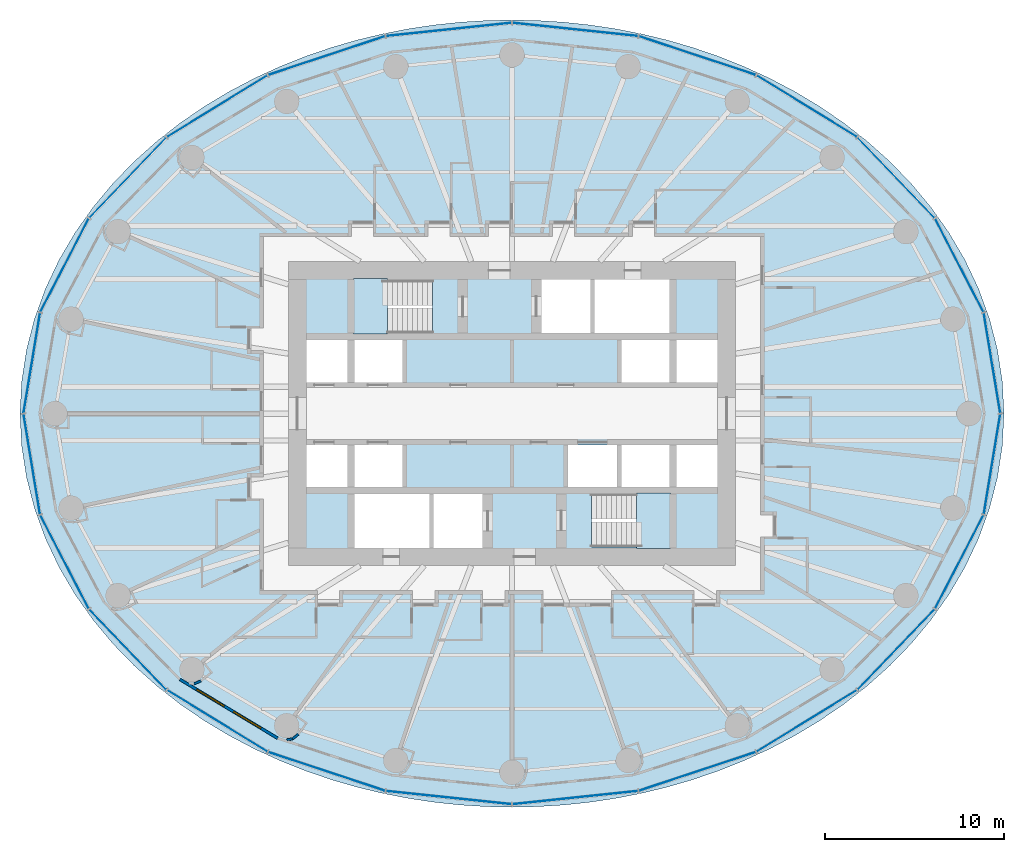
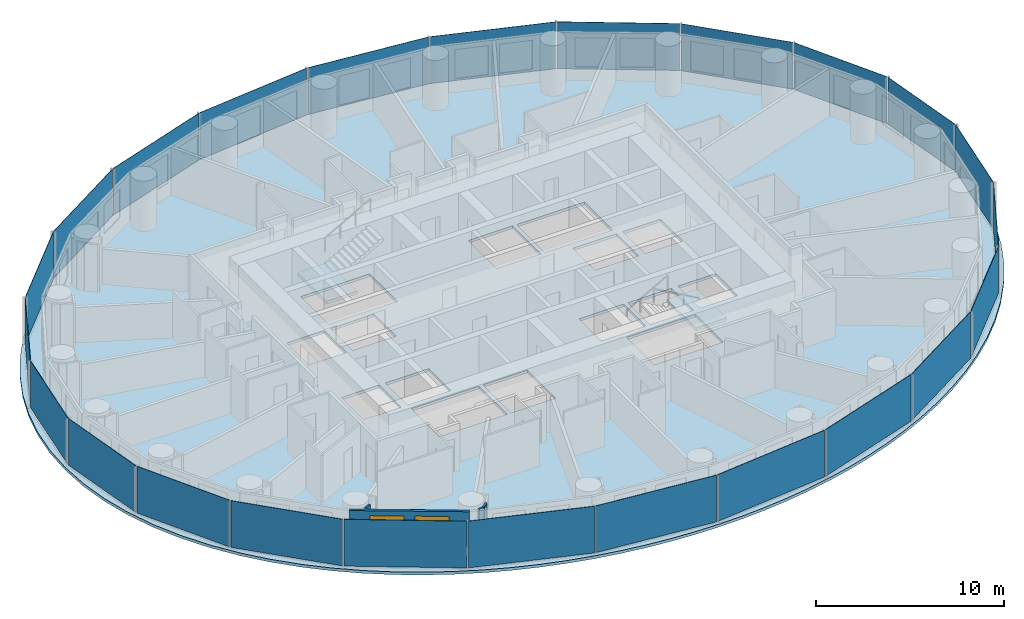
# One storey, part 5 of 14: 24 plates, 4 walls, 3 slabs, 2 windows, 2 openings, 6 elements without a shape of their own.
"""IFC4 building model written with IfcOpenShell, lengths in metres."""

from ifc_helpers import new_model, si_unit, direction, frame, frame_2d, origin, origin_2d, place, context, subcontext, project, spatial, polyline, rectangle, outline, extrude, material, layer, layer_set, type_object, element, fill, aggregate, save


model = new_model("IFC4")

# Units and contexts
model_context = context("Model", 3, precision=1e-05, world=origin(), true_north=direction((0.0, 1.0)))
body_context = subcontext(model_context, "Body", "Model", "MODEL_VIEW")
ifc_project = project(units=[si_unit("LENGTHUNIT", "METRE"), si_unit("AREAUNIT", "SQUARE_METRE"), si_unit("VOLUMEUNIT", "CUBIC_METRE"), si_unit("PLANEANGLEUNIT", "RADIAN"), si_unit("MASSUNIT", "GRAM", prefix="KILO")], contexts=[model_context])

# Site, building, storey
site_placement = place(None, origin())
site = spatial("IfcSite", under=ifc_project, at=site_placement, CompositionType="ELEMENT")
building_placement = place(site_placement, origin())
building = spatial("IfcBuilding", under=site, at=building_placement, Name="Hankou Lantern Tower", CompositionType="ELEMENT")
storey_placement = place(building_placement, frame((0.0, 0.0, 57.300048828125)))
storey = spatial("IfcBuildingStorey", under=building, at=storey_placement, Name="L13", CompositionType="ELEMENT", Elevation=57.300048828125)

# Curtain wall, plates
ifc_material_1 = material(Name="Glass, dark grey tinted laminated", Category="glass")
curtain_wall_type = type_object("IfcCurtainWallType", Name="CWA OUTER SKIN LOW-RISE", PredefinedType="USERDEFINED", material=ifc_material_1)
curtain_wall_1_placement = place(storey_placement, origin())
curtain_wall_1 = element("IfcCurtainWall", 1, at=curtain_wall_1_placement, inside=storey, type_object=curtain_wall_type, Name="CWA L13 OS1", ObjectType="OUTER SKIN LOW-RISE", PredefinedType="USERDEFINED")
ifc_material_2 = material(Name="Glass, dark grey tinted laminated", Category="glass")
ifc_layer_1 = layer(ifc_material_2, 0.02392578125)
ifc_layer_set_1 = layer_set([ifc_layer_1], Name="Glass, dark grey tinted laminated")
plate_type = type_object("IfcPlateType", Name="PN1 OUTER SKIN GLASS PANEL", PredefinedType="CURTAIN_PANEL", material=ifc_layer_set_1)
plate_1_placement = place(storey_placement, frame((26.8349609375, 2.826416015625, 0.079833984375), z_axis=(0.0, 0.0, 1.0), x_axis=(-0.162381515188, 0.986728049427, 0.0)))
plate_1 = element("IfcPlate", 2, at=plate_1_placement, type_object=plate_type, Name="CWA glass panel 1", PredefinedType="CURTAIN_PANEL", context=body_context, shape_type="SweptSolid", body=[
    extrude(rectangle(XDim=5.648681640625, YDim=0.02392578125, at=origin_2d()), origin(), (0.0, 0.0, 1.0), 3.0400390625),
])
plate_2_placement = place(storey_placement, frame((25.006103515625, 8.286376953125, 0.079833984375), z_axis=(0.0, 0.0, 1.0), x_axis=(-0.459791091957, 0.888027112062, 0.0)))
plate_2 = element("IfcPlate", 3, at=plate_2_placement, type_object=plate_type, Name="CWA glass panel 2", PredefinedType="CURTAIN_PANEL", context=body_context, shape_type="SweptSolid", body=[
    extrude(rectangle(XDim=5.8515625, YDim=0.02392578125, at=origin_2d()), origin(), (0.0, 0.0, 1.0), 3.0400390625),
])
plate_3_placement = place(storey_placement, frame((21.47314453125, 13.181640625, 0.079833984375), z_axis=(0.0, 0.0, 1.0), x_axis=(-0.692215809936, 0.721690565599, 0.0)))
plate_3 = element("IfcPlate", 4, at=plate_3_placement, type_object=plate_type, Name="CWA glass panel 3", PredefinedType="CURTAIN_PANEL", context=body_context, shape_type="SweptSolid", body=[
    extrude(rectangle(XDim=6.1875, YDim=0.02392578125, at=origin_2d()), origin(), (0.0, 0.0, 1.0), 3.0400390625),
])
plate_4_placement = place(storey_placement, frame((16.47705078125, 17.1787109375, 0.079833984375), z_axis=(0.0, 0.0, 1.0), x_axis=(-0.852237151549, 0.523155653242, 0.0)))
plate_4 = element("IfcPlate", 5, at=plate_4_placement, type_object=plate_type, Name="CWA glass panel 4", PredefinedType="CURTAIN_PANEL", context=body_context, shape_type="SweptSolid", body=[
    extrude(rectangle(XDim=6.554443359375, YDim=0.02392578125, at=origin_2d()), origin(), (0.0, 0.0, 1.0), 3.0400390625),
])
plate_5_placement = place(storey_placement, frame((10.35791015625, 20.0048828125, 0.079833984375), z_axis=(0.0, 0.0, 1.0), x_axis=(-0.949240677293, 0.31455068999, 0.0)))
plate_5 = element("IfcPlate", 6, at=plate_5_placement, type_object=plate_type, Name="CWA glass panel 5", PredefinedType="CURTAIN_PANEL", context=body_context, shape_type="SweptSolid", body=[
    extrude(rectangle(XDim=6.856201171875, YDim=0.02392578125, at=origin_2d()), origin(), (0.0, 0.0, 1.0), 3.0400390625),
])
plate_6_placement = place(storey_placement, frame((3.532958984375, 21.468017578125, 0.079833984375), z_axis=(0.0, 0.0, 1.0), x_axis=(-0.994499359107, 0.104742659579, 0.0)))
plate_6 = element("IfcPlate", 7, at=plate_6_placement, type_object=plate_type, Name="CWA glass panel 6", PredefinedType="CURTAIN_PANEL", context=body_context, shape_type="SweptSolid", body=[
    extrude(rectangle(XDim=7.02490234375, YDim=0.02392578125, at=origin_2d()), origin(), (0.0, 0.0, 1.0), 3.0400390625),
])
aggregate(curtain_wall_1, [plate_1, plate_2, plate_3, plate_4, plate_5, plate_6])

curtain_wall_2_placement = place(storey_placement, origin())
curtain_wall_2 = element("IfcCurtainWall", 8, at=curtain_wall_2_placement, inside=storey, type_object=curtain_wall_type, Name="CWA L13 OS2", ObjectType="OUTER SKIN LOW-RISE", PredefinedType="USERDEFINED")
plate_7_placement = place(storey_placement, frame((-3.532958984375, 21.468017578125, 0.079833984375), z_axis=(0.0, 0.0, 1.0), x_axis=(-0.994499359107, -0.104742659579, 0.0)))
plate_7 = element("IfcPlate", 9, at=plate_7_placement, type_object=plate_type, Name="CWA glass panel 1", PredefinedType="CURTAIN_PANEL", context=body_context, shape_type="SweptSolid", body=[
    extrude(rectangle(XDim=7.02490234375, YDim=0.02392578125, at=origin_2d()), origin(), (0.0, 0.0, 1.0), 3.0400390625),
])
plate_8_placement = place(storey_placement, frame((-10.35791015625, 20.0048828125, 0.079833984375), z_axis=(0.0, 0.0, 1.0), x_axis=(-0.949240677293, -0.31455068999, 0.0)))
plate_8 = element("IfcPlate", 10, at=plate_8_placement, type_object=plate_type, Name="CWA glass panel 2", PredefinedType="CURTAIN_PANEL", context=body_context, shape_type="SweptSolid", body=[
    extrude(rectangle(XDim=6.856201171875, YDim=0.02392578125, at=origin_2d()), origin(), (0.0, 0.0, 1.0), 3.0400390625),
])
plate_9_placement = place(storey_placement, frame((-16.47705078125, 17.1787109375, 0.079833984375), z_axis=(0.0, 0.0, 1.0), x_axis=(-0.852237151549, -0.523155653242, 0.0)))
plate_9 = element("IfcPlate", 11, at=plate_9_placement, type_object=plate_type, Name="CWA glass panel 3", PredefinedType="CURTAIN_PANEL", context=body_context, shape_type="SweptSolid", body=[
    extrude(rectangle(XDim=6.554443359375, YDim=0.02392578125, at=origin_2d()), origin(), (0.0, 0.0, 1.0), 3.0400390625),
])
plate_10_placement = place(storey_placement, frame((-21.47314453125, 13.181640625, 0.079833984375), z_axis=(0.0, 0.0, 1.0), x_axis=(-0.692215809936, -0.721690565599, 0.0)))
plate_10 = element("IfcPlate", 12, at=plate_10_placement, type_object=plate_type, Name="CWA glass panel 4", PredefinedType="CURTAIN_PANEL", context=body_context, shape_type="SweptSolid", body=[
    extrude(rectangle(XDim=6.1875, YDim=0.02392578125, at=origin_2d()), origin(), (0.0, 0.0, 1.0), 3.0400390625),
])
plate_11_placement = place(storey_placement, frame((-25.006103515625, 8.286376953125, 0.079833984375), z_axis=(0.0, 0.0, 1.0), x_axis=(-0.459791091957, -0.888027112062, 0.0)))
plate_11 = element("IfcPlate", 13, at=plate_11_placement, type_object=plate_type, Name="CWA glass panel 5", PredefinedType="CURTAIN_PANEL", context=body_context, shape_type="SweptSolid", body=[
    extrude(rectangle(XDim=5.8515625, YDim=0.02392578125, at=origin_2d()), origin(), (0.0, 0.0, 1.0), 3.0400390625),
])
plate_12_placement = place(storey_placement, frame((-26.8349609375, 2.826416015625, 0.079833984375), z_axis=(0.0, 0.0, 1.0), x_axis=(-0.162381515188, -0.986728049427, 0.0)))
plate_12 = element("IfcPlate", 14, at=plate_12_placement, type_object=plate_type, Name="CWA glass panel 6", PredefinedType="CURTAIN_PANEL", context=body_context, shape_type="SweptSolid", body=[
    extrude(rectangle(XDim=5.648681640625, YDim=0.02392578125, at=origin_2d()), origin(), (0.0, 0.0, 1.0), 3.0400390625),
])
aggregate(curtain_wall_2, [plate_7, plate_8, plate_9, plate_10, plate_11, plate_12])

curtain_wall_3_placement = place(storey_placement, origin())
curtain_wall_3 = element("IfcCurtainWall", 15, at=curtain_wall_3_placement, inside=storey, type_object=curtain_wall_type, Name="CWA L13 OS3", ObjectType="OUTER SKIN LOW-RISE", PredefinedType="USERDEFINED")
plate_13_placement = place(storey_placement, frame((-26.8349609375, -2.826416015625, 0.079833984375), z_axis=(0.0, 0.0, 1.0), x_axis=(0.162381515188, -0.986728049427, 0.0)))
plate_13 = element("IfcPlate", 16, at=plate_13_placement, type_object=plate_type, Name="CWA glass panel 1", PredefinedType="CURTAIN_PANEL", context=body_context, shape_type="SweptSolid", body=[
    extrude(rectangle(XDim=5.648681640625, YDim=0.02392578125, at=origin_2d()), origin(), (0.0, 0.0, 1.0), 3.0400390625),
])
plate_14_placement = place(storey_placement, frame((-25.006103515625, -8.286376953125, 0.079833984375), z_axis=(0.0, 0.0, 1.0), x_axis=(0.459791091957, -0.888027112062, 0.0)))
plate_14 = element("IfcPlate", 17, at=plate_14_placement, type_object=plate_type, Name="CWA glass panel 2", PredefinedType="CURTAIN_PANEL", context=body_context, shape_type="SweptSolid", body=[
    extrude(rectangle(XDim=5.8515625, YDim=0.02392578125, at=origin_2d()), origin(), (0.0, 0.0, 1.0), 3.0400390625),
])
plate_15_placement = place(storey_placement, frame((-21.47314453125, -13.181640625, 0.079833984375), z_axis=(0.0, 0.0, 1.0), x_axis=(0.692215809936, -0.721690565599, 0.0)))
plate_15 = element("IfcPlate", 18, at=plate_15_placement, type_object=plate_type, Name="CWA glass panel 3", PredefinedType="CURTAIN_PANEL", context=body_context, shape_type="SweptSolid", body=[
    extrude(rectangle(XDim=6.1875, YDim=0.02392578125, at=origin_2d()), origin(), (0.0, 0.0, 1.0), 3.0400390625),
])
plate_16_placement = place(storey_placement, frame((-16.47705078125, -17.1787109375, 0.079833984375), z_axis=(0.0, 0.0, 1.0), x_axis=(0.852237151549, -0.523155653242, 0.0)))
plate_16 = element("IfcPlate", 19, at=plate_16_placement, type_object=plate_type, Name="CWA glass panel 4", PredefinedType="CURTAIN_PANEL", context=body_context, shape_type="SweptSolid", body=[
    extrude(rectangle(XDim=6.554443359375, YDim=0.02392578125, at=origin_2d()), origin(), (0.0, 0.0, 1.0), 3.0400390625),
])
plate_17_placement = place(storey_placement, frame((-10.35791015625, -20.0048828125, 0.079833984375), z_axis=(0.0, 0.0, 1.0), x_axis=(0.949240677293, -0.31455068999, 0.0)))
plate_17 = element("IfcPlate", 20, at=plate_17_placement, type_object=plate_type, Name="CWA glass panel 5", PredefinedType="CURTAIN_PANEL", context=body_context, shape_type="SweptSolid", body=[
    extrude(rectangle(XDim=6.856201171875, YDim=0.02392578125, at=origin_2d()), origin(), (0.0, 0.0, 1.0), 3.0400390625),
])
plate_18_placement = place(storey_placement, frame((-3.532958984375, -21.468017578125, 0.079833984375), z_axis=(0.0, 0.0, 1.0), x_axis=(0.994499359107, -0.104742659579, 0.0)))
plate_18 = element("IfcPlate", 21, at=plate_18_placement, type_object=plate_type, Name="CWA glass panel 6", PredefinedType="CURTAIN_PANEL", context=body_context, shape_type="SweptSolid", body=[
    extrude(rectangle(XDim=7.02490234375, YDim=0.02392578125, at=origin_2d()), origin(), (0.0, 0.0, 1.0), 3.0400390625),
])
aggregate(curtain_wall_3, [plate_13, plate_14, plate_15, plate_16, plate_17, plate_18])

curtain_wall_4_placement = place(storey_placement, origin())
curtain_wall_4 = element("IfcCurtainWall", 22, at=curtain_wall_4_placement, inside=storey, type_object=curtain_wall_type, Name="CWA L13 OS4", ObjectType="OUTER SKIN LOW-RISE", PredefinedType="USERDEFINED")
plate_19_placement = place(storey_placement, frame((3.532958984375, -21.468017578125, 0.079833984375), z_axis=(0.0, 0.0, 1.0), x_axis=(0.994499359107, 0.104742659579, 0.0)))
plate_19 = element("IfcPlate", 23, at=plate_19_placement, type_object=plate_type, Name="CWA glass panel 1", PredefinedType="CURTAIN_PANEL", context=body_context, shape_type="SweptSolid", body=[
    extrude(rectangle(XDim=7.02490234375, YDim=0.02392578125, at=origin_2d()), origin(), (0.0, 0.0, 1.0), 3.0400390625),
])
plate_20_placement = place(storey_placement, frame((10.35791015625, -20.0048828125, 0.079833984375), z_axis=(0.0, 0.0, 1.0), x_axis=(0.949240677293, 0.31455068999, 0.0)))
plate_20 = element("IfcPlate", 24, at=plate_20_placement, type_object=plate_type, Name="CWA glass panel 2", PredefinedType="CURTAIN_PANEL", context=body_context, shape_type="SweptSolid", body=[
    extrude(rectangle(XDim=6.856201171875, YDim=0.02392578125, at=origin_2d()), origin(), (0.0, 0.0, 1.0), 3.0400390625),
])
plate_21_placement = place(storey_placement, frame((16.47705078125, -17.1787109375, 0.079833984375), z_axis=(0.0, 0.0, 1.0), x_axis=(0.852237151549, 0.523155653242, 0.0)))
plate_21 = element("IfcPlate", 25, at=plate_21_placement, type_object=plate_type, Name="CWA glass panel 3", PredefinedType="CURTAIN_PANEL", context=body_context, shape_type="SweptSolid", body=[
    extrude(rectangle(XDim=6.554443359375, YDim=0.02392578125, at=origin_2d()), origin(), (0.0, 0.0, 1.0), 3.0400390625),
])
plate_22_placement = place(storey_placement, frame((21.47314453125, -13.181640625, 0.079833984375), z_axis=(0.0, 0.0, 1.0), x_axis=(0.692215809936, 0.721690565599, 0.0)))
plate_22 = element("IfcPlate", 26, at=plate_22_placement, type_object=plate_type, Name="CWA glass panel 4", PredefinedType="CURTAIN_PANEL", context=body_context, shape_type="SweptSolid", body=[
    extrude(rectangle(XDim=6.1875, YDim=0.02392578125, at=origin_2d()), origin(), (0.0, 0.0, 1.0), 3.0400390625),
])
plate_23_placement = place(storey_placement, frame((25.006103515625, -8.286376953125, 0.079833984375), z_axis=(0.0, 0.0, 1.0), x_axis=(0.459791091957, 0.888027112062, 0.0)))
plate_23 = element("IfcPlate", 27, at=plate_23_placement, type_object=plate_type, Name="CWA glass panel 5", PredefinedType="CURTAIN_PANEL", context=body_context, shape_type="SweptSolid", body=[
    extrude(rectangle(XDim=5.8515625, YDim=0.02392578125, at=origin_2d()), origin(), (0.0, 0.0, 1.0), 3.0400390625),
])
plate_24_placement = place(storey_placement, frame((26.8349609375, -2.826416015625, 0.079833984375), z_axis=(0.0, 0.0, 1.0), x_axis=(0.162381515188, 0.986728049427, 0.0)))
plate_24 = element("IfcPlate", 28, at=plate_24_placement, type_object=plate_type, Name="CWA glass panel 6", PredefinedType="CURTAIN_PANEL", context=body_context, shape_type="SweptSolid", body=[
    extrude(rectangle(XDim=5.648681640625, YDim=0.02392578125, at=origin_2d()), origin(), (0.0, 0.0, 1.0), 3.0400390625),
])
aggregate(curtain_wall_4, [plate_19, plate_20, plate_21, plate_22, plate_23, plate_24])

# Slab
ifc_material_3 = material(Name="Concrete C50", Category="concrete")
ifc_layer_2 = layer(ifc_material_3, 0.179931640625)
ifc_layer_set_2 = layer_set([ifc_layer_2], Name="Concrete C50")
slab_type_1 = type_object("IfcSlabType", Name="S1 CONCRETE FLOOR SLAB 180", PredefinedType="FLOOR", material=ifc_layer_set_2)
slab_1_placement = place(storey_placement, frame((0.0, 0.0, -0.179931640625)))
element("IfcSlab", 29, at=slab_1_placement, inside=storey, type_object=slab_type_1, Name="Floor slab L13", PredefinedType="FLOOR", context=body_context, shape_type="SweptSolid", body=[
    extrude(outline(polyline([(27.5, 0.0), (27.408203125, 1.79638671875), (27.135009765625, 3.572509765625), (26.6875, 5.308349609375), (26.076171875, 6.987060546875), (25.3154296875, 8.593505859375), (24.420654296875, 10.115478515625), (23.40966796875, 11.54443359375), (22.29931640625, 12.87451171875), (21.1064453125, 14.102783203125), (19.846435546875, 15.228759765625), (18.533447265625, 16.25341796875), (17.17919921875, 17.17919921875), (15.794189453125, 18.009765625), (14.38671875, 18.749267578125), (12.964111328125, 19.402099609375), (11.53125, 19.972412109375), (10.09228515625, 20.46484375), (8.650146484375, 20.88330078125), (7.20703125, 21.23095703125), (5.763916015625, 21.51123046875), (4.32177734375, 21.7265625), (2.88037109375, 21.87890625), (1.43994140625, 21.9697265625), (0.0, 22.0), (-1.43994140625, 21.9697265625), (-2.88037109375, 21.87890625), (-4.32177734375, 21.7265625), (-5.763916015625, 21.51123046875), (-7.20703125, 21.23095703125), (-8.650146484375, 20.88330078125), (-10.09228515625, 20.46484375), (-11.53125, 19.972412109375), (-12.964111328125, 19.402099609375), (-14.38671875, 18.749267578125), (-15.794189453125, 18.009765625), (-17.17919921875, 17.17919921875), (-18.533447265625, 16.25341796875), (-19.846435546875, 15.228759765625), (-21.1064453125, 14.102783203125), (-22.29931640625, 12.87451171875), (-23.40966796875, 11.54443359375), (-24.420654296875, 10.115478515625), (-25.3154296875, 8.593505859375), (-26.076171875, 6.987060546875), (-26.6875, 5.308349609375), (-27.135009765625, 3.572509765625), (-27.408203125, 1.79638671875), (-27.5, 0.0), (-27.408203125, -1.79638671875), (-27.135009765625, -3.572509765625), (-26.6875, -5.308349609375), (-26.076171875, -6.987060546875), (-25.3154296875, -8.593505859375), (-24.420654296875, -10.115478515625), (-23.40966796875, -11.54443359375), (-22.29931640625, -12.87451171875), (-21.1064453125, -14.102783203125), (-19.846435546875, -15.228759765625), (-18.533447265625, -16.25341796875), (-17.17919921875, -17.17919921875), (-15.794189453125, -18.009765625), (-14.38671875, -18.749267578125), (-12.964111328125, -19.402099609375), (-11.53125, -19.972412109375), (-10.09228515625, -20.46484375), (-8.650146484375, -20.88330078125), (-7.20703125, -21.23095703125), (-5.763916015625, -21.51123046875), (-4.32177734375, -21.7265625), (-2.88037109375, -21.87890625), (-1.43994140625, -21.9697265625), (0.0, -22.0), (1.43994140625, -21.9697265625), (2.88037109375, -21.87890625), (4.32177734375, -21.7265625), (5.763916015625, -21.51123046875), (7.20703125, -21.23095703125), (8.650146484375, -20.88330078125), (10.09228515625, -20.46484375), (11.53125, -19.972412109375), (12.964111328125, -19.402099609375), (14.38671875, -18.749267578125), (15.794189453125, -18.009765625), (17.17919921875, -17.17919921875), (18.533447265625, -16.25341796875), (19.846435546875, -15.228759765625), (21.1064453125, -14.102783203125), (22.29931640625, -12.87451171875), (23.40966796875, -11.54443359375), (24.420654296875, -10.115478515625), (25.3154296875, -8.593505859375), (26.076171875, -6.987060546875), (26.6875, -5.308349609375), (27.135009765625, -3.572509765625), (27.408203125, -1.79638671875), (27.5, 0.0)]), holes=[polyline([(-11.5, 4.10009765625), (-9.199951171875, 4.10009765625), (-9.199951171875, 1.75), (-11.5, 1.75), (-11.5, 4.10009765625)]), polyline([(-8.800048828125, 4.10009765625), (-6.125, 4.10009765625), (-6.125, 1.75), (-8.800048828125, 1.75), (-8.800048828125, 4.10009765625)]), polyline([(6.125, 4.10009765625), (8.800048828125, 4.10009765625), (8.800048828125, 1.75), (6.125, 1.75), (6.125, 4.10009765625)]), polyline([(9.199951171875, 4.10009765625), (11.5, 4.10009765625), (11.5, 1.75), (9.199951171875, 1.75), (9.199951171875, 4.10009765625)]), polyline([(-11.5, -1.75), (-9.199951171875, -1.75), (-9.199951171875, -4.10009765625), (-11.5, -4.10009765625), (-11.5, -1.75)]), polyline([(-8.800048828125, -1.75), (-6.125, -1.75), (-6.125, -4.10009765625), (-8.800048828125, -4.10009765625), (-8.800048828125, -1.75)]), polyline([(3.125, -1.75), (5.875, -1.75), (5.875, -4.10009765625), (3.125, -4.10009765625), (3.125, -1.75)]), polyline([(6.125, -1.75), (8.800048828125, -1.75), (8.800048828125, -4.10009765625), (6.125, -4.10009765625), (6.125, -1.75)]), polyline([(9.199951171875, -1.75), (11.5, -1.75), (11.5, -4.10009765625), (9.199951171875, -4.10009765625), (9.199951171875, -1.75)]), polyline([(1.64990234375, 7.5), (4.375, 7.5), (4.375, 4.5), (1.64990234375, 4.5), (1.64990234375, 7.5)]), polyline([(-4.375, -4.5), (-1.64990234375, -4.5), (-1.64990234375, -7.5), (-4.375, -7.5), (-4.375, -4.5)]), polyline([(-8.699951171875, 7.449951171875), (-4.449951171875, 7.449951171875), (-4.449951171875, 4.5), (-8.699951171875, 4.5), (-8.699951171875, 7.449951171875)]), polyline([(4.449951171875, -4.5), (8.699951171875, -4.5), (8.699951171875, -7.449951171875), (4.449951171875, -7.449951171875), (4.449951171875, -4.5)]), polyline([(4.625, 7.5), (8.800048828125, 7.5), (8.800048828125, 4.5), (4.625, 4.5), (4.625, 7.5)]), polyline([(-8.800048828125, -4.5), (-4.625, -4.5), (-4.625, -7.5), (-8.800048828125, -7.5), (-8.800048828125, -4.5)])]), origin(), (0.0, 0.0, 1.0), 0.179931640625),
])

# Stair, slab
ifc_material_4 = material(Name="Concrete C40", Category="concrete")
stair_type = type_object("IfcStairType", Name="ST33 CORE STAIR 3300 RISE", PredefinedType="HALF_TURN_STAIR", material=ifc_material_4)
stair_1_placement = place(storey_placement, origin())
stair_1 = element("IfcStair", 30, at=stair_1_placement, inside=storey, type_object=stair_type, Name="Stair STA L13", PredefinedType="HALF_TURN_STAIR")
ifc_material_5 = material(Name="Concrete C40", Category="concrete")
ifc_layer_3 = layer(ifc_material_5, 0.199951171875)
ifc_layer_set_3 = layer_set([ifc_layer_3], Name="Concrete C40")
slab_type_2 = type_object("IfcSlabType", Name="SL1 STAIR LANDING 200", PredefinedType="LANDING", material=ifc_layer_set_3)
slab_2_placement = place(storey_placement, frame((0.0, 0.0, 1.371337890625)))
slab_2 = element("IfcSlab", 31, at=slab_2_placement, type_object=slab_type_2, Name="STA landing 1", PredefinedType="LANDING", context=body_context, shape_type="SweptSolid", body=[
    extrude(outline(polyline([(-8.85009765625, 4.449951171875), (-6.949951171875, 4.449951171875), (-6.949951171875, 7.550048828125), (-8.85009765625, 7.550048828125), (-8.85009765625, 4.449951171875)])), origin(), (0.0, 0.0, 1.0), 0.199951171875),
])
aggregate(stair_1, [slab_2])

stair_2_placement = place(storey_placement, origin())
stair_2 = element("IfcStair", 32, at=stair_2_placement, inside=storey, type_object=stair_type, Name="Stair STB L13", PredefinedType="HALF_TURN_STAIR")
slab_3_placement = place(storey_placement, frame((0.0, 0.0, 1.371337890625)))
slab_3 = element("IfcSlab", 33, at=slab_3_placement, type_object=slab_type_2, Name="STB landing 1", PredefinedType="LANDING", context=body_context, shape_type="SweptSolid", body=[
    extrude(outline(polyline([(8.85009765625, -4.449951171875), (6.949951171875, -4.449951171875), (6.949951171875, -7.550048828125), (8.85009765625, -7.550048828125), (8.85009765625, -4.449951171875)])), origin(), (0.0, 0.0, 1.0), 0.199951171875),
])
aggregate(stair_2, [slab_3])

# Wall, openings, windows
ifc_material_6 = material(Name="Aluminium spandrel panel on steel studs", Category="steel")
ifc_layer_4 = layer(ifc_material_6, 0.14990234375)
ifc_layer_set_4 = layer_set([ifc_layer_4], Name="Aluminium spandrel panel on steel studs")
wall_type_1 = type_object("IfcWallType", Name="EW1 INNER SKIN WALL 150", PredefinedType="ELEMENTEDWALL", material=ifc_layer_set_4)
wall_1_placement = place(storey_placement, frame((-18.569580078125, -14.855712890625, 0.0), z_axis=(0.0, 0.0, 1.0), x_axis=(0.856983180864, -0.515344377787, 0.0)))
wall_1 = element("IfcWall", 34, at=wall_1_placement, inside=storey, type_object=wall_type_1, Name="Inner skin R16-R17 L13", PredefinedType="ELEMENTEDWALL", context=body_context, shape_type="SweptSolid", body=[
    extrude(rectangle(XDim=6.386474609375, YDim=0.14990234375, at=frame_2d((3.193359375, 0.0))), origin(), (0.0, 0.0, 1.0), 3.119873046875),
])
opening_1_placement = place(wall_1_placement, frame((1.09326171875, 0.0, 0.89990234375)))
opening_1 = element("IfcOpeningElement", 35, at=opening_1_placement, cuts=wall_1, Name="Opening W1", PredefinedType="OPENING", context=body_context, shape_type="SweptSolid", body=[
    extrude(rectangle(XDim=1.800048828125, YDim=1.89990234375, at=frame_2d((0.89990234375, 0.949951171875))), frame((0.0, 0.0849609375, 0.0), z_axis=(0.0, -1.0, 0.0), x_axis=(1.0, 0.0, 0.0)), (0.0, 0.0, 1.0), 0.169921875),
])
opening_2_placement = place(wall_1_placement, frame((3.4931640625, 0.0, 0.89990234375)))
opening_2 = element("IfcOpeningElement", 36, at=opening_2_placement, cuts=wall_1, Name="Opening W1", PredefinedType="OPENING", context=body_context, shape_type="SweptSolid", body=[
    extrude(rectangle(XDim=1.800048828125, YDim=1.89990234375, at=frame_2d((0.89990234375, 0.949951171875))), frame((0.0, 0.0849609375, 0.0), z_axis=(0.0, -1.0, 0.0), x_axis=(1.0, 0.0, 0.0)), (0.0, 0.0, 1.0), 0.169921875),
])
ifc_material_7 = material(Name="Aluminium framed double glazed window", Category="aluminium")
window_type = type_object("IfcWindowType", Name="W1 GUEST ROOM WINDOW 1800X1900", PartitioningType="DOUBLE_PANEL_VERTICAL", PredefinedType="WINDOW", material=ifc_material_7)
window_1_placement = place(opening_1_placement, origin())
window_1 = element("IfcWindow", 37, at=window_1_placement, inside=storey, type_object=window_type, Name="Window R16.1 L13", OverallHeight=1.89990234375, OverallWidth=1.800048828125, PartitioningType="SINGLE_PANEL", PredefinedType="WINDOW", context=body_context, shape_type="SweptSolid", body=[
    extrude(rectangle(XDim=1.800048828125, YDim=1.89990234375, at=frame_2d((0.89990234375, 0.949951171875))), frame((0.0, 0.030029296875, 0.0), z_axis=(0.0, -1.0, 0.0), x_axis=(1.0, 0.0, 0.0)), (0.0, 0.0, 1.0), 0.06005859375),
])
fill(opening_1, window_1)
window_2_placement = place(opening_2_placement, origin())
window_2 = element("IfcWindow", 38, at=window_2_placement, inside=storey, type_object=window_type, Name="Window R16.2 L13", OverallHeight=1.89990234375, OverallWidth=1.800048828125, PartitioningType="SINGLE_PANEL", PredefinedType="WINDOW", context=body_context, shape_type="SweptSolid", body=[
    extrude(rectangle(XDim=1.800048828125, YDim=1.89990234375, at=frame_2d((0.89990234375, 0.949951171875))), frame((0.0, 0.030029296875, 0.0), z_axis=(0.0, -1.0, 0.0), x_axis=(1.0, 0.0, 0.0)), (0.0, 0.0, 1.0), 0.06005859375),
])
fill(opening_2, window_2)

# Walls
ifc_material_8 = material(Name="Masonry lightweight concrete block", Category="masonry")
ifc_layer_5 = layer(ifc_material_8, 0.1201171875)
ifc_layer_set_5 = layer_set([ifc_layer_5], Name="Masonry lightweight concrete block")
wall_type_2 = type_object("IfcWallType", Name="IW4 PARTITION 120", PredefinedType="PARTITIONING", material=ifc_layer_set_5)
wall_2_placement = place(storey_placement, frame((-17.38720703125, -14.94384765625, 0.0), z_axis=(0.0, 0.0, 1.0), x_axis=(-0.916036698064, -0.401094462441, 0.0)))
element("IfcWall", 39, at=wall_2_placement, inside=storey, type_object=wall_type_2, Name="Column casing R16", PredefinedType="PARTITIONING", context=body_context, shape_type="SweptSolid", body=[
    extrude(rectangle(XDim=0.418212890625, YDim=0.1201171875, at=frame_2d((0.208984375, 0.0))), origin(), (0.0, 0.0, 1.0), 3.119873046875),
])
wall_3_placement = place(storey_placement, frame((-11.93603515625, -17.9189453125, 0.0), z_axis=(0.0, 0.0, 1.0), x_axis=(-0.775023088441, -0.631932917629, 0.0)))
element("IfcWall", 40, at=wall_3_placement, inside=storey, type_object=wall_type_2, Name="Column casing R17", PredefinedType="PARTITIONING", context=body_context, shape_type="SweptSolid", body=[
    extrude(rectangle(XDim=0.41796875, YDim=0.1201171875, at=frame_2d((0.208984375, 0.0))), origin(), (0.0, 0.0, 1.0), 3.119873046875),
])
wall_4_placement = place(storey_placement, frame((-12.260009765625, -18.18310546875, 0.0), z_axis=(0.0, 0.0, 1.0), x_axis=(-0.987218661664, -0.159371622511, 0.0)))
element("IfcWall", 41, at=wall_4_placement, inside=storey, type_object=wall_type_2, Name="Column casing R17", PredefinedType="PARTITIONING", context=body_context, shape_type="SweptSolid", body=[
    extrude(rectangle(XDim=0.330810546875, YDim=0.1201171875, at=frame_2d((0.16552734375, 0.0))), origin(), (0.0, 0.0, 1.0), 3.119873046875),
])

save(model, "model.ifc")
